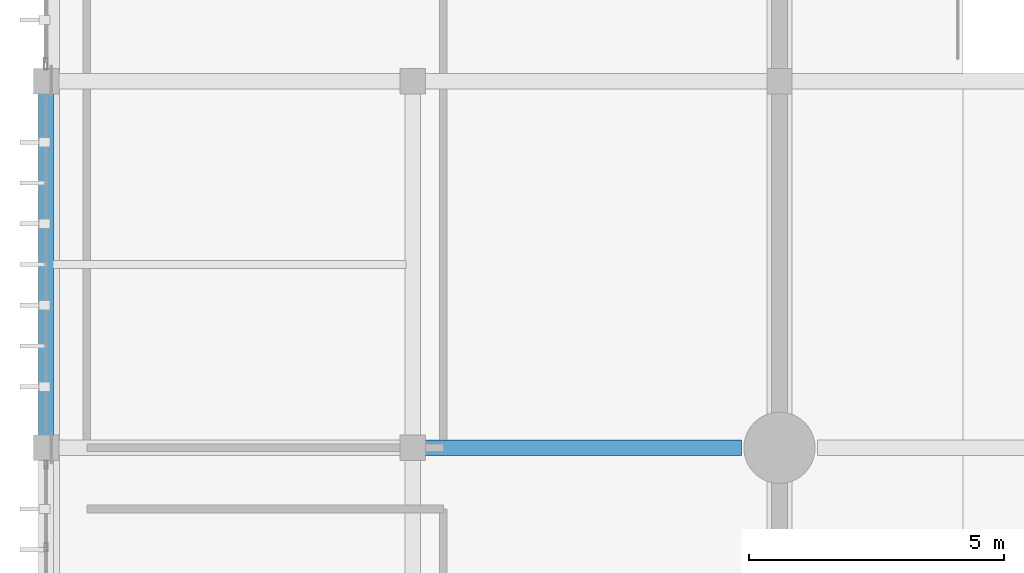
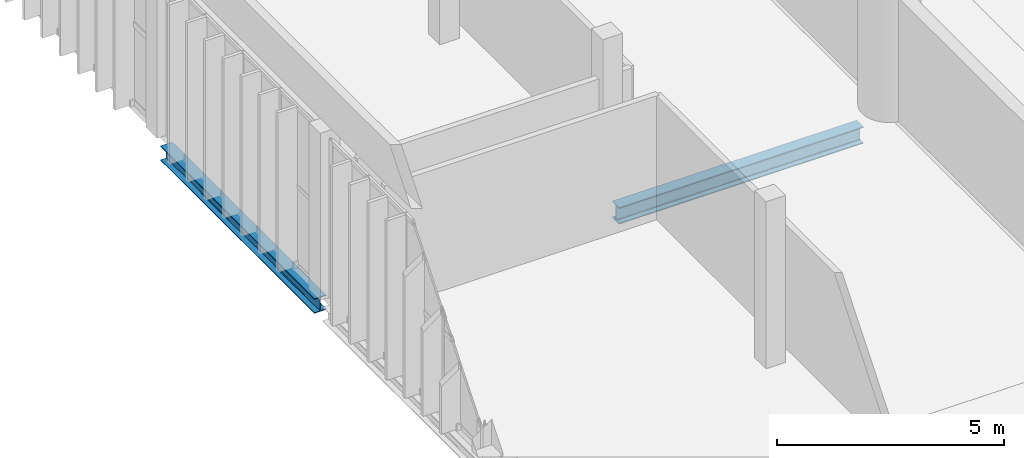
# One storey, part 26 of 64: 2 beams.
"""IFC4 building model written with IfcOpenShell, lengths in metres."""

from ifc_helpers import new_model, si_unit, direction, frame, origin, origin_2d, place, context, subcontext, project, spatial, i_section, extrude, material, material_profile, profile_set, type_object, element, save


model = new_model("IFC4")

# Units and contexts
model_context = context("Model", 3, precision=1e-05, world=origin(), true_north=direction((0.0, 1.0)))
body_context = subcontext(model_context, "Body", "Model", "MODEL_VIEW")
ifc_project = project(units=[si_unit("LENGTHUNIT", "METRE"), si_unit("AREAUNIT", "SQUARE_METRE"), si_unit("VOLUMEUNIT", "CUBIC_METRE"), si_unit("PLANEANGLEUNIT", "RADIAN"), si_unit("MASSUNIT", "GRAM", prefix="KILO")], contexts=[model_context])

# Site, building, storey
site_placement = place(None, origin())
site = spatial("IfcSite", under=ifc_project, at=site_placement, CompositionType="ELEMENT")
building_placement = place(site_placement, origin())
building = spatial("IfcBuilding", under=site, at=building_placement, Name="Qandorah Velis Arena", CompositionType="ELEMENT")
storey_placement = place(building_placement, frame((0.0, 0.0, 23.0)))
storey = spatial("IfcBuildingStorey", under=building, at=storey_placement, Name="L05", CompositionType="ELEMENT", Elevation=23.0)

# Beams
ifc_material = material(Name="Steel S355", Category="steel")
ifc_material_profile_1 = material_profile(ifc_material, i_section(OverallWidth=0.300048828125, OverallDepth=0.39990234375, WebThickness=0.013427734375, FlangeThickness=0.02392578125, FilletRadius=0.027099609375, at=origin_2d()), Name="HEB 400")
ifc_profile_set_1 = profile_set([ifc_material_profile_1], Name="Steel S355")
beam_type_1 = type_object("IfcBeamType", Name="STR-BM-HEB400", PredefinedType="BEAM", material=ifc_profile_set_1)
beam_1_placement = place(storey_placement, frame((0.0, 100.978515625, -0.449951171875), z_axis=(0.0, 1.0, 0.0), x_axis=(-1.0, 0.0, 0.0)))
element("IfcBeam", 1, at=beam_1_placement, inside=storey, type_object=beam_type_1, Name="Primary floor girder L05 Y-125", PredefinedType="BEAM", context=body_context, shape_type="SweptSolid", body=[
    extrude(i_section(OverallWidth=0.300048828125, OverallDepth=0.39990234375, WebThickness=0.013427734375, FlangeThickness=0.02392578125, FilletRadius=0.027099609375, at=origin_2d()), origin(), (0.0, 0.0, 1.0), 6.79638671875),
])
ifc_material_profile_2 = material_profile(ifc_material, i_section(OverallWidth=0.300048828125, OverallDepth=0.449951171875, WebThickness=0.013916015625, FlangeThickness=0.02587890625, FilletRadius=0.027099609375, at=origin_2d()), Name="HEB 450")
ifc_profile_set_2 = profile_set([ifc_material_profile_2], Name="Steel S355")
beam_type_2 = type_object("IfcBeamType", Name="STR-BM-HEB450", PredefinedType="BEAM", material=ifc_profile_set_2)
beam_2_placement = place(storey_placement, frame((7.425048828125, 100.800048828125, -0.47509765625), z_axis=(1.0, 0.0, 0.0), x_axis=(0.0, 1.0, 0.0)))
element("IfcBeam", 2, at=beam_2_placement, inside=storey, type_object=beam_type_2, Name="Primary floor girder L05 X-071", PredefinedType="BEAM", context=body_context, shape_type="SweptSolid", body=[
    extrude(i_section(OverallWidth=0.300048828125, OverallDepth=0.449951171875, WebThickness=0.013916015625, FlangeThickness=0.02587890625, FilletRadius=0.027099609375, at=origin_2d()), origin(), (0.0, 0.0, 1.0), 6.224853515625),
])

save(model, "model.ifc")
